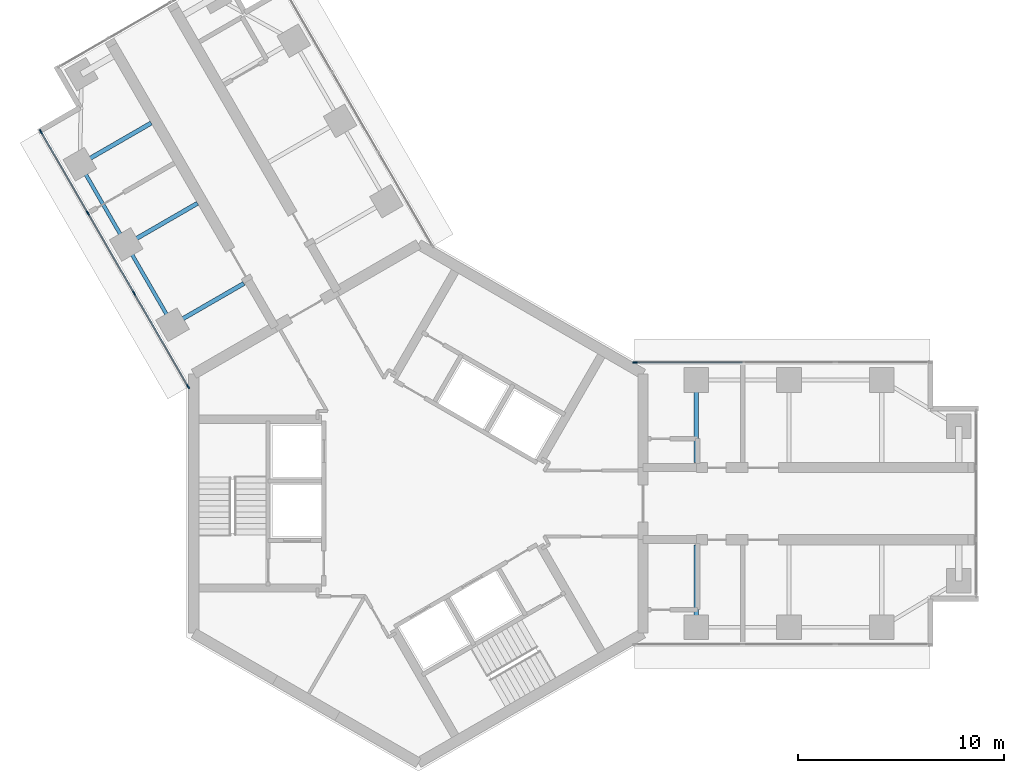
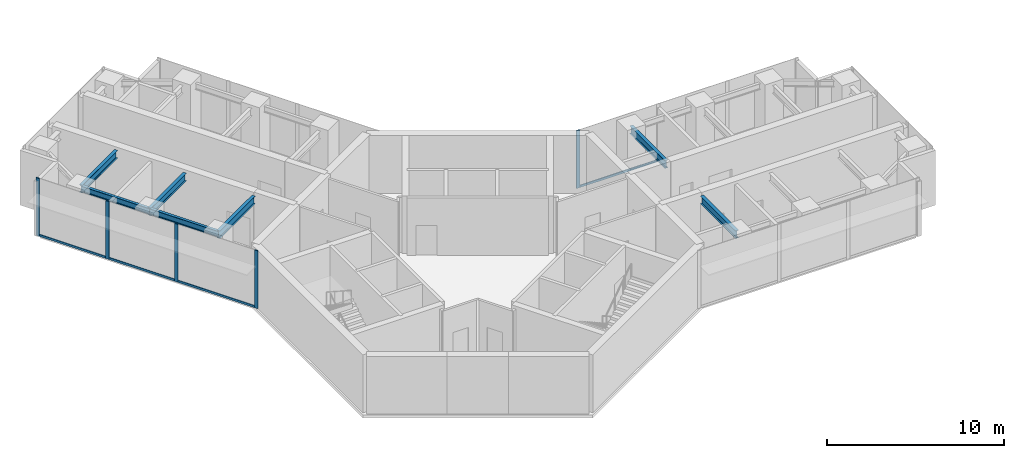
# One storey, part 5 of 17: 9 members, 7 beams, 2 elements without a shape of their own.
"""IFC4 building model written with IfcOpenShell, lengths in metres."""

from ifc_helpers import new_model, si_unit, direction, frame, origin, origin_2d, place, context, subcontext, project, spatial, rectangle, i_section, extrude, material, material_profile, profile_set, type_object, element, aggregate, save


model = new_model("IFC4")

# Units and contexts
model_context = context("Model", 3, precision=1e-05, world=origin(), true_north=direction((0.0, 1.0)))
body_context = subcontext(model_context, "Body", "Model", "MODEL_VIEW")
ifc_project = project(units=[si_unit("LENGTHUNIT", "METRE"), si_unit("AREAUNIT", "SQUARE_METRE"), si_unit("VOLUMEUNIT", "CUBIC_METRE"), si_unit("PLANEANGLEUNIT", "RADIAN"), si_unit("MASSUNIT", "GRAM", prefix="KILO")], contexts=[model_context])

# Site, building, storey
site_placement = place(None, origin())
site = spatial("IfcSite", under=ifc_project, at=site_placement, CompositionType="ELEMENT")
building_placement = place(site_placement, origin())
building = spatial("IfcBuilding", under=site, at=building_placement, Name="Upepo Twin Towers", CompositionType="ELEMENT")
storey_placement = place(building_placement, frame((0.0, 0.0, 182.5)))
storey = spatial("IfcBuildingStorey", under=building, at=storey_placement, Name="L44", CompositionType="ELEMENT", Elevation=182.5)

# Beams
ifc_material_1 = material(Name="Steel S355", Category="steel")
ifc_material_profile_1 = material_profile(ifc_material_1, i_section(OverallWidth=0.177978515625, OverallDepth=0.406494140625, WebThickness=0.0078125, FlangeThickness=0.0126953125, FilletRadius=0.01025390625, at=origin_2d()), Name="UB 406x178x60")
ifc_profile_set_1 = profile_set([ifc_material_profile_1], Name="Steel S355")
beam_type_1 = type_object("IfcBeamType", Name="Beam UB 406x178x60", PredefinedType="BEAM", material=ifc_profile_set_1)
beam_1_placement = place(storey_placement, frame((-11.946044921875, 8.69140625, 3.5966796875), z_axis=(-0.500013631625, 0.866017533419, 0.0), x_axis=(-0.866017533419, -0.500013631625, 0.0)))
element("IfcBeam", 1, at=beam_1_placement, inside=storey, type_object=beam_type_1, Name="T1 edge beam BL 13.5-18.0", PredefinedType="BEAM", context=body_context, shape_type="SweptSolid", body=[
    extrude(i_section(OverallWidth=0.177978515625, OverallDepth=0.406494140625, WebThickness=0.0078125, FlangeThickness=0.0126953125, FilletRadius=0.01025390625, at=origin_2d()), origin(), (0.0, 0.0, 1.0), 4.499755859375),
])
beam_2_placement = place(storey_placement, frame((-14.196044921875, 12.58837890625, 3.5966796875), z_axis=(-0.499990139034, 0.866031096941, 0.0), x_axis=(-0.866031096941, -0.499990139034, 0.0)))
element("IfcBeam", 2, at=beam_2_placement, inside=storey, type_object=beam_type_1, Name="T1 edge beam BL 18.0-22.5", PredefinedType="BEAM", context=body_context, shape_type="SweptSolid", body=[
    extrude(i_section(OverallWidth=0.177978515625, OverallDepth=0.406494140625, WebThickness=0.0078125, FlangeThickness=0.0126953125, FilletRadius=0.01025390625, at=origin_2d()), origin(), (0.0, 0.0, 1.0), 4.5),
])
ifc_material_2 = material(Name="Steel S355", Category="steel")
ifc_material_profile_2 = material_profile(ifc_material_2, i_section(OverallWidth=0.209228515625, OverallDepth=0.533203125, WebThickness=0.010009765625, FlangeThickness=0.015625, FilletRadius=0.0126953125, at=origin_2d()), Name="UB 533x210x92")
ifc_profile_set_2 = profile_set([ifc_material_profile_2], Name="Steel S355")
beam_type_2 = type_object("IfcBeamType", Name="Beam UB 533x210x92", PredefinedType="BEAM", material=ifc_profile_set_2)
for number, where, z_axis, x_axis, name in (
    (3, (13.5, 6.0, 3.533447265625), (0.0, -1.0, 0.0), (1.0, 0.0, 0.0), "T1 girder AL at 13.5"),
    (4, (13.5, -6.0, 3.533447265625), (0.0, 1.0, 0.0), (-1.0, 0.0, 0.0), "T1 girder AR at 13.5"),
    (5, (-11.946044921875, 8.69140625, 3.533447265625), (0.866026010844, 0.49999894854, 0.0), (-0.49999894854, 0.866026010844, 0.0), "T1 girder BL at 13.5"),
    (6, (-14.196044921875, 12.58837890625, 3.533447265625), (0.866026010844, 0.49999894854, 0.0), (-0.49999894854, 0.866026010844, 0.0), "T1 girder BL at 18.0"),
    (7, (-16.446044921875, 16.485595703125, 3.533447265625), (0.866026010844, 0.49999894854, 0.0), (-0.49999894854, 0.866026010844, 0.0), "T1 girder BL at 22.5"),
):
    element("IfcBeam", number, at=place(storey_placement, frame(where, z_axis=z_axis, x_axis=x_axis)), inside=storey, type_object=beam_type_2, Name=name, PredefinedType="BEAM", context=body_context, shape_type="SweptSolid", body=[
        extrude(i_section(OverallWidth=0.209228515625, OverallDepth=0.533203125, WebThickness=0.010009765625, FlangeThickness=0.015625, FilletRadius=0.0126953125, at=origin_2d()), origin(), (0.0, 0.0, 1.0), 4.0),
    ])

# Curtain wall, member
ifc_material_3 = material(Name="Aluminium and fritted glass", Category="aluminium")
curtain_wall_type = type_object("IfcCurtainWallType", Name="Tower curtain wall TW3, fritted glass", PredefinedType="NOTDEFINED", material=ifc_material_3)
curtain_wall_1_placement = place(storey_placement, origin())
curtain_wall_1 = element("IfcCurtainWall", 8, at=curtain_wall_1_placement, inside=storey, type_object=curtain_wall_type, Name="T1 L44 wing A flank L curtain wall", PredefinedType="NOTDEFINED")
ifc_material_4 = material(Name="Aluminium mullion", Category="aluminium")
ifc_material_profile_3 = material_profile(ifc_material_4, rectangle(XDim=0.06494140625, YDim=0.22509765625, at=origin_2d()), Name="MULLION 65x225")
ifc_profile_set_3 = profile_set([ifc_material_profile_3], Name="Aluminium mullion")
member_type_1 = type_object("IfcMemberType", Name="Mullion 65x225 TW3", PredefinedType="MULLION", material=ifc_profile_set_3)
member_1_placement = place(storey_placement, frame((10.51953125, 6.85009765625, 0.0), z_axis=(0.0, 0.0, 1.0), x_axis=(0.0, 1.0, 0.0)))
member_1 = element("IfcMember", 9, at=member_1_placement, type_object=member_type_1, Name="T1 L44 wing A flank L curtain wall mullion 1", PredefinedType="MULLION", context=body_context, shape_type="SweptSolid", body=[
    extrude(rectangle(XDim=0.06494140625, YDim=0.22509765625, at=origin_2d()), origin(), (0.0, 0.0, 1.0), 4.0),
])

# Curtain wall, members
curtain_wall_2_placement = place(storey_placement, origin())
curtain_wall_2 = element("IfcCurtainWall", 10, at=curtain_wall_2_placement, inside=storey, type_object=curtain_wall_type, Name="T1 L44 wing B flank L curtain wall", PredefinedType="NOTDEFINED")
member_2_placement = place(storey_placement, frame((-11.192138671875, 5.685302734375, 0.0), z_axis=(0.0, 0.0, 1.0), x_axis=(-0.866025388469, -0.500000026527, 0.0)))
member_2 = element("IfcMember", 11, at=member_2_placement, type_object=member_type_1, Name="T1 L44 wing B flank L curtain wall mullion 1", PredefinedType="MULLION", context=body_context, shape_type="SweptSolid", body=[
    extrude(rectangle(XDim=0.06494140625, YDim=0.22509765625, at=origin_2d()), origin(), (0.0, 0.0, 1.0), 4.0),
])
member_3_placement = place(storey_placement, frame((-13.807373046875, 10.21484375, 0.0), z_axis=(0.0, 0.0, 1.0), x_axis=(-0.866025388469, -0.500000026527, 0.0)))
member_3 = element("IfcMember", 12, at=member_3_placement, type_object=member_type_1, Name="T1 L44 wing B flank L curtain wall mullion 2", PredefinedType="MULLION", context=body_context, shape_type="SweptSolid", body=[
    extrude(rectangle(XDim=0.06494140625, YDim=0.22509765625, at=origin_2d()), origin(), (0.0, 0.0, 1.0), 4.0),
])
member_4_placement = place(storey_placement, frame((-16.057373046875, 14.112060546875, 0.0), z_axis=(0.0, 0.0, 1.0), x_axis=(-0.866025388469, -0.500000026527, 0.0)))
member_4 = element("IfcMember", 13, at=member_4_placement, type_object=member_type_1, Name="T1 L44 wing B flank L curtain wall mullion 3", PredefinedType="MULLION", context=body_context, shape_type="SweptSolid", body=[
    extrude(rectangle(XDim=0.06494140625, YDim=0.22509765625, at=origin_2d()), origin(), (0.0, 0.0, 1.0), 4.0),
])
member_5_placement = place(storey_placement, frame((-18.341064453125, 18.067626953125, 0.0), z_axis=(0.0, 0.0, 1.0), x_axis=(-0.866025388469, -0.500000026527, 0.0)))
member_5 = element("IfcMember", 14, at=member_5_placement, type_object=member_type_1, Name="T1 L44 wing B flank L curtain wall mullion 4", PredefinedType="MULLION", context=body_context, shape_type="SweptSolid", body=[
    extrude(rectangle(XDim=0.06494140625, YDim=0.22509765625, at=origin_2d()), origin(), (0.0, 0.0, 1.0), 4.0),
])

# Member
ifc_material_5 = material(Name="Aluminium transom", Category="aluminium")
ifc_material_profile_4 = material_profile(ifc_material_5, rectangle(XDim=0.06494140625, YDim=0.14990234375, at=origin_2d()), Name="TRANSOM 65x150")
ifc_profile_set_4 = profile_set([ifc_material_profile_4], Name="Aluminium transom")
member_type_2 = type_object("IfcMemberType", Name="Transom 65x150 TW3", PredefinedType="USERDEFINED", material=ifc_profile_set_4)
member_6_placement = place(storey_placement, frame((10.552001953125, 6.85009765625, 0.074951171875), z_axis=(1.0, 0.0, 0.0), x_axis=(0.0, 1.0, 0.0)))
member_6 = element("IfcMember", 15, at=member_6_placement, type_object=member_type_2, Name="T1 L44 wing A flank L curtain wall transom 1", ObjectType="TRANSOM", PredefinedType="USERDEFINED", context=body_context, shape_type="SweptSolid", body=[
    extrude(rectangle(XDim=0.06494140625, YDim=0.14990234375, at=origin_2d()), origin(), (0.0, 0.0, 1.0), 5.16552734375),
])

aggregate(curtain_wall_1, [member_1, member_6])

member_7_placement = place(storey_placement, frame((-11.208251953125, 5.71337890625, 0.074951171875), z_axis=(-0.500007480159, 0.86602108507, 0.0), x_axis=(-0.86602108507, -0.500007480159, 0.0)))
member_7 = element("IfcMember", 16, at=member_7_placement, type_object=member_type_2, Name="T1 L44 wing B flank L curtain wall transom 1", ObjectType="TRANSOM", PredefinedType="USERDEFINED", context=body_context, shape_type="SweptSolid", body=[
    extrude(rectangle(XDim=0.06494140625, YDim=0.14990234375, at=origin_2d()), origin(), (0.0, 0.0, 1.0), 5.16552734375),
])

member_8_placement = place(storey_placement, frame((-13.823486328125, 10.2431640625, 0.074951171875), z_axis=(-0.500005184116, 0.866022410713, 0.0), x_axis=(-0.866022410713, -0.500005184116, 0.0)))
member_8 = element("IfcMember", 17, at=member_8_placement, type_object=member_type_2, Name="T1 L44 wing B flank L curtain wall transom 2", ObjectType="TRANSOM", PredefinedType="USERDEFINED", context=body_context, shape_type="SweptSolid", body=[
    extrude(rectangle(XDim=0.06494140625, YDim=0.14990234375, at=origin_2d()), origin(), (0.0, 0.0, 1.0), 4.43505859375),
])

member_9_placement = place(storey_placement, frame((-16.073486328125, 14.14013671875, 0.074951171875), z_axis=(-0.499982167615, 0.866035699072, 0.0), x_axis=(-0.866035699072, -0.499982167615, 0.0)))
member_9 = element("IfcMember", 18, at=member_9_placement, type_object=member_type_2, Name="T1 L44 wing B flank L curtain wall transom 3", ObjectType="TRANSOM", PredefinedType="USERDEFINED", context=body_context, shape_type="SweptSolid", body=[
    extrude(rectangle(XDim=0.06494140625, YDim=0.14990234375, at=origin_2d()), origin(), (0.0, 0.0, 1.0), 4.502685546875),
])

aggregate(curtain_wall_2, [member_2, member_3, member_4, member_5, member_7, member_8, member_9])

save(model, "model.ifc")
